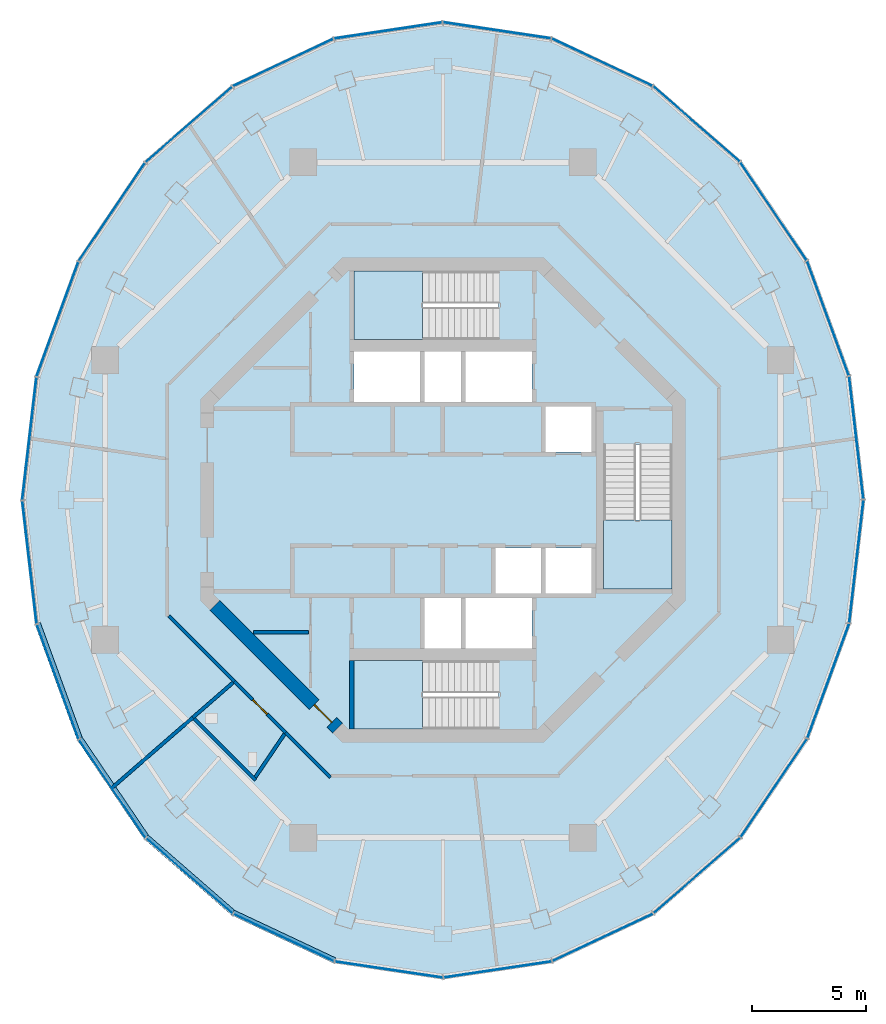
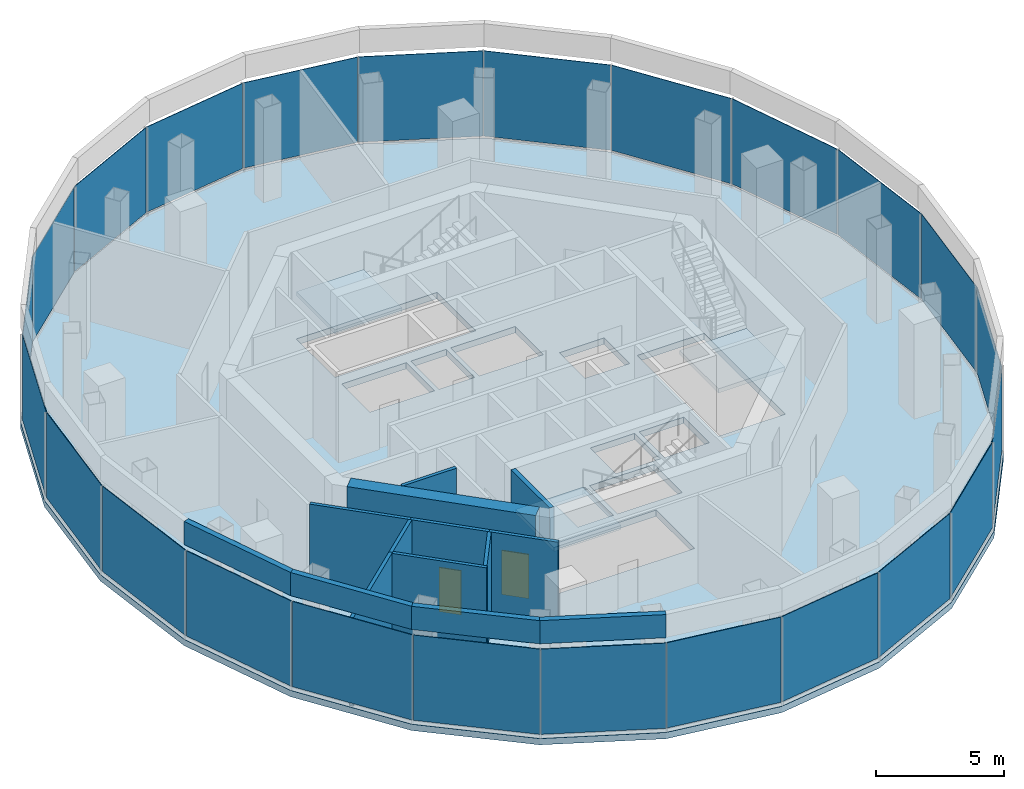
# One storey, part 6 of 11: 24 plates, 14 walls, 4 slabs, 2 doors, 2 openings, 27 elements without a shape of their own.
"""IFC4 building model written with IfcOpenShell, lengths in metres."""

from ifc_helpers import new_model, si_unit, direction, frame, frame_2d, origin, origin_2d, place, context, subcontext, project, spatial, polyline, rectangle, outline, extrude, material, layer, layer_set, type_object, element, fill, aggregate, save


model = new_model("IFC4")

# Units and contexts
model_context = context("Model", 3, precision=1e-05, world=origin(), true_north=direction((0.0, 1.0)))
body_context = subcontext(model_context, "Body", "Model", "MODEL_VIEW")
ifc_project = project(units=[si_unit("LENGTHUNIT", "METRE"), si_unit("AREAUNIT", "SQUARE_METRE"), si_unit("VOLUMEUNIT", "CUBIC_METRE"), si_unit("PLANEANGLEUNIT", "RADIAN"), si_unit("MASSUNIT", "GRAM", prefix="KILO")], contexts=[model_context])

# Site, building, storey
site_placement = place(None, origin())
site = spatial("IfcSite", under=ifc_project, at=site_placement, CompositionType="ELEMENT")
building_placement = place(site_placement, origin())
building = spatial("IfcBuilding", under=site, at=building_placement, Name="Nagisa Residences", CompositionType="ELEMENT")
storey_placement = place(building_placement, frame((0.0, 0.0, 320.39990234375)))
storey = spatial("IfcBuildingStorey", under=building, at=storey_placement, Name="L79", CompositionType="ELEMENT", Elevation=320.39990234375)

# Curtain wall, plate
ifc_material_1 = material(Name="Aluminium curtain wall system", Category="aluminium")
ifc_layer_1 = layer(ifc_material_1, 0.159912109375)
ifc_layer_set_1 = layer_set([ifc_layer_1], Name="CW4 CURTAIN WALL")
curtain_wall_type = type_object("IfcCurtainWallType", Name="CW4 CURTAIN WALL", PredefinedType="NOTDEFINED", material=ifc_layer_set_1)
curtain_wall_1_placement = place(storey_placement, origin())
curtain_wall_1 = element("IfcCurtainWall", 1, at=curtain_wall_1_placement, inside=storey, type_object=curtain_wall_type, Name="cw:CW4:L79:00", PredefinedType="NOTDEFINED")
ifc_material_2 = material(Name="Clear laminated glass", Category="glass")
ifc_layer_2 = layer(ifc_material_2, 0.028076171875)
ifc_layer_set_2 = layer_set([ifc_layer_2], Name="CW4 GLASS PANEL")
plate_type = type_object("IfcPlateType", Name="CW4 GLASS PANEL", PredefinedType="CURTAIN_PANEL", material=ifc_layer_set_2)
plate_1_placement = place(storey_placement, frame((18.101806640625, 2.73828125, 0.14990234375), z_axis=(0.0, 0.0, 1.0), x_axis=(-0.115207327437, 0.993341467827, 0.0)))
plate_1 = element("IfcPlate", 2, at=plate_1_placement, type_object=plate_type, Name="CW4 panel", PredefinedType="CURTAIN_PANEL", context=body_context, shape_type="SweptSolid", body=[
    extrude(rectangle(XDim=5.41162109375, YDim=0.028076171875, at=origin_2d()), origin(), (0.0, 0.0, 1.0), 4.050048828125),
])
aggregate(curtain_wall_1, [plate_1])

curtain_wall_2_placement = place(storey_placement, origin())
curtain_wall_2 = element("IfcCurtainWall", 3, at=curtain_wall_2_placement, inside=storey, type_object=curtain_wall_type, Name="cw:CW4:L79:01", PredefinedType="NOTDEFINED")
plate_2_placement = place(storey_placement, frame((16.860107421875, 7.96826171875, 0.14990234375), z_axis=(0.0, 0.0, 1.0), x_axis=(-0.342793298167, 0.939410855128, 0.0)))
plate_2 = element("IfcPlate", 4, at=plate_2_placement, type_object=plate_type, Name="CW4 panel", PredefinedType="CURTAIN_PANEL", context=body_context, shape_type="SweptSolid", body=[
    extrude(rectangle(XDim=5.33154296875, YDim=0.028076171875, at=origin_2d()), origin(), (0.0, 0.0, 1.0), 4.050048828125),
])
aggregate(curtain_wall_2, [plate_2])

curtain_wall_3_placement = place(storey_placement, origin())
curtain_wall_3 = element("IfcCurtainWall", 5, at=curtain_wall_3_placement, inside=storey, type_object=curtain_wall_type, Name="cw:CW4:L79:02", PredefinedType="NOTDEFINED")
plate_3_placement = place(storey_placement, frame((14.468505859375, 12.65478515625, 0.14990234375), z_axis=(0.0, 0.0, 1.0), x_axis=(-0.560029665453, 0.828472554652, 0.0)))
plate_3 = element("IfcPlate", 6, at=plate_3_placement, type_object=plate_type, Name="CW4 panel", PredefinedType="CURTAIN_PANEL", context=body_context, shape_type="SweptSolid", body=[
    extrude(rectangle(XDim=5.189697265625, YDim=0.028076171875, at=origin_2d()), origin(), (0.0, 0.0, 1.0), 4.050048828125),
])
aggregate(curtain_wall_3, [plate_3])

curtain_wall_4_placement = place(storey_placement, origin())
curtain_wall_4 = element("IfcCurtainWall", 7, at=curtain_wall_4_placement, inside=storey, type_object=curtain_wall_type, Name="cw:CW4:L79:03", PredefinedType="NOTDEFINED")
plate_4_placement = place(storey_placement, frame((11.090576171875, 16.477294921875, 0.14990234375), z_axis=(0.0, 0.0, 1.0), x_axis=(-0.754062144839, 0.656803076821, 0.0)))
plate_4 = element("IfcPlate", 8, at=plate_4_placement, type_object=plate_type, Name="CW4 panel", PredefinedType="CURTAIN_PANEL", context=body_context, shape_type="SweptSolid", body=[
    extrude(rectangle(XDim=5.02099609375, YDim=0.028076171875, at=origin_2d()), origin(), (0.0, 0.0, 1.0), 4.050048828125),
])
aggregate(curtain_wall_4, [plate_4])

curtain_wall_5_placement = place(storey_placement, origin())
curtain_wall_5 = element("IfcCurtainWall", 9, at=curtain_wall_5_placement, inside=storey, type_object=curtain_wall_type, Name="cw:CW4:L79:04", PredefinedType="NOTDEFINED")
plate_5_placement = place(storey_placement, frame((6.9580078125, 19.17578125, 0.14990234375), z_axis=(0.0, 0.0, 1.0), x_axis=(-0.90495806836, 0.425500757356, 0.0)))
plate_5 = element("IfcPlate", 10, at=plate_5_placement, type_object=plate_type, Name="CW4 panel", PredefinedType="CURTAIN_PANEL", context=body_context, shape_type="SweptSolid", body=[
    extrude(rectangle(XDim=4.870361328125, YDim=0.028076171875, at=origin_2d()), origin(), (0.0, 0.0, 1.0), 4.050048828125),
])
aggregate(curtain_wall_5, [plate_5])

curtain_wall_6_placement = place(storey_placement, origin())
curtain_wall_6 = element("IfcCurtainWall", 11, at=curtain_wall_6_placement, inside=storey, type_object=curtain_wall_type, Name="cw:CW4:L79:05", PredefinedType="NOTDEFINED")
plate_6_placement = place(storey_placement, frame((2.3525390625, 20.567626953125, 0.14990234375), z_axis=(0.0, 0.0, 1.0), x_axis=(-0.989016965862, 0.147802033939, 0.0)))
plate_6 = element("IfcPlate", 12, at=plate_6_placement, type_object=plate_type, Name="CW4 panel", PredefinedType="CURTAIN_PANEL", context=body_context, shape_type="SweptSolid", body=[
    extrude(rectangle(XDim=4.78125, YDim=0.028076171875, at=origin_2d()), origin(), (0.0, 0.0, 1.0), 4.050048828125),
])
aggregate(curtain_wall_6, [plate_6])

curtain_wall_7_placement = place(storey_placement, origin())
curtain_wall_7 = element("IfcCurtainWall", 13, at=curtain_wall_7_placement, inside=storey, type_object=curtain_wall_type, Name="cw:CW4:L79:06", PredefinedType="NOTDEFINED")
plate_7_placement = place(storey_placement, frame((-2.411865234375, 20.55859375, 0.14990234375), z_axis=(0.0, 0.0, 1.0), x_axis=(-0.989016965862, -0.147802033939, 0.0)))
plate_7 = element("IfcPlate", 14, at=plate_7_placement, type_object=plate_type, Name="CW4 panel", PredefinedType="CURTAIN_PANEL", context=body_context, shape_type="SweptSolid", body=[
    extrude(rectangle(XDim=4.78125, YDim=0.028076171875, at=origin_2d()), origin(), (0.0, 0.0, 1.0), 4.050048828125),
])
aggregate(curtain_wall_7, [plate_7])

curtain_wall_8_placement = place(storey_placement, origin())
curtain_wall_8 = element("IfcCurtainWall", 15, at=curtain_wall_8_placement, inside=storey, type_object=curtain_wall_type, Name="cw:CW4:L79:07", PredefinedType="NOTDEFINED")
plate_8_placement = place(storey_placement, frame((-7.01220703125, 19.150390625, 0.14990234375), z_axis=(0.0, 0.0, 1.0), x_axis=(-0.90495806836, -0.425500757356, 0.0)))
plate_8 = element("IfcPlate", 16, at=plate_8_placement, type_object=plate_type, Name="CW4 panel", PredefinedType="CURTAIN_PANEL", context=body_context, shape_type="SweptSolid", body=[
    extrude(rectangle(XDim=4.870361328125, YDim=0.028076171875, at=origin_2d()), origin(), (0.0, 0.0, 1.0), 4.050048828125),
])
aggregate(curtain_wall_8, [plate_8])

curtain_wall_9_placement = place(storey_placement, origin())
curtain_wall_9 = element("IfcCurtainWall", 17, at=curtain_wall_9_placement, inside=storey, type_object=curtain_wall_type, Name="cw:CW4:L79:08", PredefinedType="NOTDEFINED")
plate_9_placement = place(storey_placement, frame((-11.1357421875, 16.437744140625, 0.14990234375), z_axis=(0.0, 0.0, 1.0), x_axis=(-0.754062144839, -0.656803076821, 0.0)))
plate_9 = element("IfcPlate", 18, at=plate_9_placement, type_object=plate_type, Name="CW4 panel", PredefinedType="CURTAIN_PANEL", context=body_context, shape_type="SweptSolid", body=[
    extrude(rectangle(XDim=5.02099609375, YDim=0.028076171875, at=origin_2d()), origin(), (0.0, 0.0, 1.0), 4.050048828125),
])
aggregate(curtain_wall_9, [plate_9])

curtain_wall_10_placement = place(storey_placement, origin())
curtain_wall_10 = element("IfcCurtainWall", 19, at=curtain_wall_10_placement, inside=storey, type_object=curtain_wall_type, Name="cw:CW4:L79:09", PredefinedType="NOTDEFINED")
plate_10_placement = place(storey_placement, frame((-14.501953125, 12.60498046875, 0.14990234375), z_axis=(0.0, 0.0, 1.0), x_axis=(-0.560029665453, -0.828472554652, 0.0)))
plate_10 = element("IfcPlate", 20, at=plate_10_placement, type_object=plate_type, Name="CW4 panel", PredefinedType="CURTAIN_PANEL", context=body_context, shape_type="SweptSolid", body=[
    extrude(rectangle(XDim=5.189697265625, YDim=0.028076171875, at=origin_2d()), origin(), (0.0, 0.0, 1.0), 4.050048828125),
])
aggregate(curtain_wall_10, [plate_10])

curtain_wall_11_placement = place(storey_placement, origin())
curtain_wall_11 = element("IfcCurtainWall", 21, at=curtain_wall_11_placement, inside=storey, type_object=curtain_wall_type, Name="cw:CW4:L79:10", PredefinedType="NOTDEFINED")
plate_11_placement = place(storey_placement, frame((-16.880615234375, 7.912109375, 0.14990234375), z_axis=(0.0, 0.0, 1.0), x_axis=(-0.342793298167, -0.939410855128, 0.0)))
plate_11 = element("IfcPlate", 22, at=plate_11_placement, type_object=plate_type, Name="CW4 panel", PredefinedType="CURTAIN_PANEL", context=body_context, shape_type="SweptSolid", body=[
    extrude(rectangle(XDim=5.33154296875, YDim=0.028076171875, at=origin_2d()), origin(), (0.0, 0.0, 1.0), 4.050048828125),
])
aggregate(curtain_wall_11, [plate_11])

curtain_wall_12_placement = place(storey_placement, origin())
curtain_wall_12 = element("IfcCurtainWall", 23, at=curtain_wall_12_placement, inside=storey, type_object=curtain_wall_type, Name="cw:CW4:L79:11", PredefinedType="NOTDEFINED")
plate_12_placement = place(storey_placement, frame((-18.10888671875, 2.678466796875, 0.14990234375), z_axis=(0.0, 0.0, 1.0), x_axis=(-0.115207327437, -0.993341467827, 0.0)))
plate_12 = element("IfcPlate", 24, at=plate_12_placement, type_object=plate_type, Name="CW4 panel", PredefinedType="CURTAIN_PANEL", context=body_context, shape_type="SweptSolid", body=[
    extrude(rectangle(XDim=5.41162109375, YDim=0.028076171875, at=origin_2d()), origin(), (0.0, 0.0, 1.0), 4.050048828125),
])
aggregate(curtain_wall_12, [plate_12])

curtain_wall_13_placement = place(storey_placement, origin())
curtain_wall_13 = element("IfcCurtainWall", 25, at=curtain_wall_13_placement, inside=storey, type_object=curtain_wall_type, Name="cw:CW4:L79:12", PredefinedType="NOTDEFINED")
plate_13_placement = place(storey_placement, frame((-18.101806640625, -2.73828125, 0.14990234375), z_axis=(0.0, 0.0, 1.0), x_axis=(0.115207327437, -0.993341467827, 0.0)))
plate_13 = element("IfcPlate", 26, at=plate_13_placement, type_object=plate_type, Name="CW4 panel", PredefinedType="CURTAIN_PANEL", context=body_context, shape_type="SweptSolid", body=[
    extrude(rectangle(XDim=5.41162109375, YDim=0.028076171875, at=origin_2d()), origin(), (0.0, 0.0, 1.0), 4.050048828125),
])
aggregate(curtain_wall_13, [plate_13])

curtain_wall_14_placement = place(storey_placement, origin())
curtain_wall_14 = element("IfcCurtainWall", 27, at=curtain_wall_14_placement, inside=storey, type_object=curtain_wall_type, Name="cw:CW4:L79:13", PredefinedType="NOTDEFINED")
plate_14_placement = place(storey_placement, frame((-16.860107421875, -7.96826171875, 0.14990234375), z_axis=(0.0, 0.0, 1.0), x_axis=(0.342793298167, -0.939410855128, 0.0)))
plate_14 = element("IfcPlate", 28, at=plate_14_placement, type_object=plate_type, Name="CW4 panel", PredefinedType="CURTAIN_PANEL", context=body_context, shape_type="SweptSolid", body=[
    extrude(rectangle(XDim=5.33154296875, YDim=0.028076171875, at=origin_2d()), origin(), (0.0, 0.0, 1.0), 4.050048828125),
])
aggregate(curtain_wall_14, [plate_14])

curtain_wall_15_placement = place(storey_placement, origin())
curtain_wall_15 = element("IfcCurtainWall", 29, at=curtain_wall_15_placement, inside=storey, type_object=curtain_wall_type, Name="cw:CW4:L79:14", PredefinedType="NOTDEFINED")
plate_15_placement = place(storey_placement, frame((-14.468505859375, -12.65478515625, 0.14990234375), z_axis=(0.0, 0.0, 1.0), x_axis=(0.560029665453, -0.828472554652, 0.0)))
plate_15 = element("IfcPlate", 30, at=plate_15_placement, type_object=plate_type, Name="CW4 panel", PredefinedType="CURTAIN_PANEL", context=body_context, shape_type="SweptSolid", body=[
    extrude(rectangle(XDim=5.189697265625, YDim=0.028076171875, at=origin_2d()), origin(), (0.0, 0.0, 1.0), 4.050048828125),
])
aggregate(curtain_wall_15, [plate_15])

curtain_wall_16_placement = place(storey_placement, origin())
curtain_wall_16 = element("IfcCurtainWall", 31, at=curtain_wall_16_placement, inside=storey, type_object=curtain_wall_type, Name="cw:CW4:L79:15", PredefinedType="NOTDEFINED")
plate_16_placement = place(storey_placement, frame((-11.090576171875, -16.477294921875, 0.14990234375), z_axis=(0.0, 0.0, 1.0), x_axis=(0.754062144839, -0.656803076821, 0.0)))
plate_16 = element("IfcPlate", 32, at=plate_16_placement, type_object=plate_type, Name="CW4 panel", PredefinedType="CURTAIN_PANEL", context=body_context, shape_type="SweptSolid", body=[
    extrude(rectangle(XDim=5.02099609375, YDim=0.028076171875, at=origin_2d()), origin(), (0.0, 0.0, 1.0), 4.050048828125),
])
aggregate(curtain_wall_16, [plate_16])

curtain_wall_17_placement = place(storey_placement, origin())
curtain_wall_17 = element("IfcCurtainWall", 33, at=curtain_wall_17_placement, inside=storey, type_object=curtain_wall_type, Name="cw:CW4:L79:16", PredefinedType="NOTDEFINED")
plate_17_placement = place(storey_placement, frame((-6.9580078125, -19.17578125, 0.14990234375), z_axis=(0.0, 0.0, 1.0), x_axis=(0.90495806836, -0.425500757356, 0.0)))
plate_17 = element("IfcPlate", 34, at=plate_17_placement, type_object=plate_type, Name="CW4 panel", PredefinedType="CURTAIN_PANEL", context=body_context, shape_type="SweptSolid", body=[
    extrude(rectangle(XDim=4.870361328125, YDim=0.028076171875, at=origin_2d()), origin(), (0.0, 0.0, 1.0), 4.050048828125),
])
aggregate(curtain_wall_17, [plate_17])

curtain_wall_18_placement = place(storey_placement, origin())
curtain_wall_18 = element("IfcCurtainWall", 35, at=curtain_wall_18_placement, inside=storey, type_object=curtain_wall_type, Name="cw:CW4:L79:17", PredefinedType="NOTDEFINED")
plate_18_placement = place(storey_placement, frame((-2.3525390625, -20.567626953125, 0.14990234375), z_axis=(0.0, 0.0, 1.0), x_axis=(0.989016965862, -0.147802033939, 0.0)))
plate_18 = element("IfcPlate", 36, at=plate_18_placement, type_object=plate_type, Name="CW4 panel", PredefinedType="CURTAIN_PANEL", context=body_context, shape_type="SweptSolid", body=[
    extrude(rectangle(XDim=4.78125, YDim=0.028076171875, at=origin_2d()), origin(), (0.0, 0.0, 1.0), 4.050048828125),
])
aggregate(curtain_wall_18, [plate_18])

curtain_wall_19_placement = place(storey_placement, origin())
curtain_wall_19 = element("IfcCurtainWall", 37, at=curtain_wall_19_placement, inside=storey, type_object=curtain_wall_type, Name="cw:CW4:L79:18", PredefinedType="NOTDEFINED")
plate_19_placement = place(storey_placement, frame((2.411865234375, -20.55859375, 0.14990234375), z_axis=(0.0, 0.0, 1.0), x_axis=(0.989016965862, 0.147802033939, 0.0)))
plate_19 = element("IfcPlate", 38, at=plate_19_placement, type_object=plate_type, Name="CW4 panel", PredefinedType="CURTAIN_PANEL", context=body_context, shape_type="SweptSolid", body=[
    extrude(rectangle(XDim=4.78125, YDim=0.028076171875, at=origin_2d()), origin(), (0.0, 0.0, 1.0), 4.050048828125),
])
aggregate(curtain_wall_19, [plate_19])

curtain_wall_20_placement = place(storey_placement, origin())
curtain_wall_20 = element("IfcCurtainWall", 39, at=curtain_wall_20_placement, inside=storey, type_object=curtain_wall_type, Name="cw:CW4:L79:19", PredefinedType="NOTDEFINED")
plate_20_placement = place(storey_placement, frame((7.01220703125, -19.150390625, 0.14990234375), z_axis=(0.0, 0.0, 1.0), x_axis=(0.90495806836, 0.425500757356, 0.0)))
plate_20 = element("IfcPlate", 40, at=plate_20_placement, type_object=plate_type, Name="CW4 panel", PredefinedType="CURTAIN_PANEL", context=body_context, shape_type="SweptSolid", body=[
    extrude(rectangle(XDim=4.870361328125, YDim=0.028076171875, at=origin_2d()), origin(), (0.0, 0.0, 1.0), 4.050048828125),
])
aggregate(curtain_wall_20, [plate_20])

curtain_wall_21_placement = place(storey_placement, origin())
curtain_wall_21 = element("IfcCurtainWall", 41, at=curtain_wall_21_placement, inside=storey, type_object=curtain_wall_type, Name="cw:CW4:L79:20", PredefinedType="NOTDEFINED")
plate_21_placement = place(storey_placement, frame((11.1357421875, -16.437744140625, 0.14990234375), z_axis=(0.0, 0.0, 1.0), x_axis=(0.754062144839, 0.656803076821, 0.0)))
plate_21 = element("IfcPlate", 42, at=plate_21_placement, type_object=plate_type, Name="CW4 panel", PredefinedType="CURTAIN_PANEL", context=body_context, shape_type="SweptSolid", body=[
    extrude(rectangle(XDim=5.02099609375, YDim=0.028076171875, at=origin_2d()), origin(), (0.0, 0.0, 1.0), 4.050048828125),
])
aggregate(curtain_wall_21, [plate_21])

curtain_wall_22_placement = place(storey_placement, origin())
curtain_wall_22 = element("IfcCurtainWall", 43, at=curtain_wall_22_placement, inside=storey, type_object=curtain_wall_type, Name="cw:CW4:L79:21", PredefinedType="NOTDEFINED")
plate_22_placement = place(storey_placement, frame((14.501953125, -12.60498046875, 0.14990234375), z_axis=(0.0, 0.0, 1.0), x_axis=(0.560029665453, 0.828472554652, 0.0)))
plate_22 = element("IfcPlate", 44, at=plate_22_placement, type_object=plate_type, Name="CW4 panel", PredefinedType="CURTAIN_PANEL", context=body_context, shape_type="SweptSolid", body=[
    extrude(rectangle(XDim=5.189697265625, YDim=0.028076171875, at=origin_2d()), origin(), (0.0, 0.0, 1.0), 4.050048828125),
])
aggregate(curtain_wall_22, [plate_22])

curtain_wall_23_placement = place(storey_placement, origin())
curtain_wall_23 = element("IfcCurtainWall", 45, at=curtain_wall_23_placement, inside=storey, type_object=curtain_wall_type, Name="cw:CW4:L79:22", PredefinedType="NOTDEFINED")
plate_23_placement = place(storey_placement, frame((16.880615234375, -7.912109375, 0.14990234375), z_axis=(0.0, 0.0, 1.0), x_axis=(0.342793298167, 0.939410855128, 0.0)))
plate_23 = element("IfcPlate", 46, at=plate_23_placement, type_object=plate_type, Name="CW4 panel", PredefinedType="CURTAIN_PANEL", context=body_context, shape_type="SweptSolid", body=[
    extrude(rectangle(XDim=5.33154296875, YDim=0.028076171875, at=origin_2d()), origin(), (0.0, 0.0, 1.0), 4.050048828125),
])
aggregate(curtain_wall_23, [plate_23])

curtain_wall_24_placement = place(storey_placement, origin())
curtain_wall_24 = element("IfcCurtainWall", 47, at=curtain_wall_24_placement, inside=storey, type_object=curtain_wall_type, Name="cw:CW4:L79:23", PredefinedType="NOTDEFINED")
plate_24_placement = place(storey_placement, frame((18.10888671875, -2.678466796875, 0.14990234375), z_axis=(0.0, 0.0, 1.0), x_axis=(0.115207327437, 0.993341467827, 0.0)))
plate_24 = element("IfcPlate", 48, at=plate_24_placement, type_object=plate_type, Name="CW4 panel", PredefinedType="CURTAIN_PANEL", context=body_context, shape_type="SweptSolid", body=[
    extrude(rectangle(XDim=5.41162109375, YDim=0.028076171875, at=origin_2d()), origin(), (0.0, 0.0, 1.0), 4.050048828125),
])
aggregate(curtain_wall_24, [plate_24])

# Slab
ifc_material_3 = material(Name="Concrete C40", Category="concrete")
ifc_layer_3 = layer(ifc_material_3, 0.300048828125)
ifc_layer_set_3 = layer_set([ifc_layer_3], Name="Floor slab 300")
slab_type_1 = type_object("IfcSlabType", Name="Floor slab 300", PredefinedType="FLOOR", material=ifc_layer_set_3)
slab_1_placement = place(storey_placement, frame((0.0, 0.0, -0.2998046875)))
element("IfcSlab", 49, at=slab_1_placement, inside=storey, type_object=slab_type_1, Name="slab:L79:floor", PredefinedType="FLOOR", context=body_context, shape_type="SweptSolid", body=[
    extrude(outline(polyline([(18.5, 0.0), (17.86962890625, 5.435302734375), (16.021484375, 10.5), (13.08154296875, 14.84912109375), (9.25, 18.1865234375), (4.7880859375, 20.284423828125), (0.0, 21.0), (-4.7880859375, 20.284423828125), (-9.25, 18.1865234375), (-13.08154296875, 14.84912109375), (-16.021484375, 10.5), (-17.86962890625, 5.435302734375), (-18.5, 0.0), (-17.86962890625, -5.435302734375), (-16.021484375, -10.5), (-13.08154296875, -14.84912109375), (-9.25, -18.1865234375), (-4.7880859375, -20.284423828125), (0.0, -21.0), (4.7880859375, -20.284423828125), (9.25, -18.1865234375), (13.08154296875, -14.84912109375), (16.021484375, -10.5), (17.86962890625, -5.435302734375), (18.5, 0.0)]), holes=[polyline([(6.5, 2.10009765625), (6.5, 4.10009765625), (4.5, 4.10009765625), (4.5, 2.10009765625), (6.5, 2.10009765625)]), polyline([(4.300048828125, -4.10009765625), (4.300048828125, -2.10009765625), (2.300048828125, -2.10009765625), (2.300048828125, -4.10009765625), (4.300048828125, -4.10009765625)]), polyline([(6.5, -4.10009765625), (6.5, -2.10009765625), (4.5, -2.10009765625), (4.5, -4.10009765625), (6.5, -4.10009765625)]), polyline([(3.89990234375, 4.300048828125), (3.89990234375, 6.5), (1.0, 6.5), (1.0, 4.300048828125), (3.89990234375, 4.300048828125)]), polyline([(3.89990234375, -6.5), (3.89990234375, -4.300048828125), (1.0, -4.300048828125), (1.0, -6.5), (3.89990234375, -6.5)]), polyline([(-1.0, 4.300048828125), (-1.0, 6.5), (-3.89990234375, 6.5), (-3.89990234375, 4.300048828125), (-1.0, 4.300048828125)]), polyline([(0.800048828125, 4.300048828125), (0.800048828125, 6.5), (-0.800048828125, 6.5), (-0.800048828125, 4.300048828125), (0.800048828125, 4.300048828125)]), polyline([(0.800048828125, -6.5), (0.800048828125, -4.300048828125), (-0.800048828125, -4.300048828125), (-0.800048828125, -6.5), (0.800048828125, -6.5)]), polyline([(10.024658203125, -3.89990234375), (7.024658203125, -3.89990234375), (7.024658203125, 2.425048828125), (10.024658203125, 2.425048828125), (10.024658203125, -3.89990234375)]), polyline([(-3.89990234375, 7.024658203125), (-3.89990234375, 10.024658203125), (2.425048828125, 10.024658203125), (2.425048828125, 7.024658203125), (-3.89990234375, 7.024658203125)]), polyline([(-3.89990234375, -10.024658203125), (-3.89990234375, -7.024658203125), (2.425048828125, -7.024658203125), (2.425048828125, -10.024658203125), (-3.89990234375, -10.024658203125)])]), origin(), (0.0, 0.0, 1.0), 0.2998046875),
])

# Stair, slab
ifc_material_4 = material(Name="Concrete C60", Category="concrete")
stair_type = type_object("IfcStairType", Name="Exit stair", PredefinedType="HALF_TURN_STAIR", material=ifc_material_4)
stair_1_placement = place(storey_placement, origin())
stair_1 = element("IfcStair", 50, at=stair_1_placement, inside=storey, type_object=stair_type, Name="L79 Exit stair E", PredefinedType="HALF_TURN_STAIR")
ifc_material_5 = material(Name="Concrete C60", Category="concrete")
ifc_layer_4 = layer(ifc_material_5, 0.199951171875)
ifc_layer_set_4 = layer_set([ifc_layer_4], Name="Stair landing")
slab_type_2 = type_object("IfcSlabType", Name="Stair landing", PredefinedType="LANDING", material=ifc_layer_set_4)
slab_2_placement = place(storey_placement, frame((0.0, 0.0, 2.050048828125)))
slab_2 = element("IfcSlab", 51, at=slab_2_placement, type_object=slab_type_2, Name="ST-E landing 1", PredefinedType="LANDING", context=body_context, shape_type="SweptSolid", body=[
    extrude(outline(polyline([(7.024658203125, -0.885009765625), (7.024658203125, -3.89990234375), (10.024658203125, -3.89990234375), (10.024658203125, -0.885009765625), (7.024658203125, -0.885009765625)])), origin(), (0.0, 0.0, 1.0), 0.199951171875),
])
aggregate(stair_1, [slab_2])

stair_2_placement = place(storey_placement, origin())
stair_2 = element("IfcStair", 52, at=stair_2_placement, inside=storey, type_object=stair_type, Name="L79 Exit stair N", PredefinedType="HALF_TURN_STAIR")
slab_3_placement = place(storey_placement, frame((0.0, 0.0, 2.050048828125)))
slab_3 = element("IfcSlab", 53, at=slab_3_placement, type_object=slab_type_2, Name="ST-N landing 1", PredefinedType="LANDING", context=body_context, shape_type="SweptSolid", body=[
    extrude(outline(polyline([(-0.885009765625, 10.024658203125), (-3.89990234375, 10.024658203125), (-3.89990234375, 7.024658203125), (-0.885009765625, 7.024658203125), (-0.885009765625, 10.024658203125)])), origin(), (0.0, 0.0, 1.0), 0.199951171875),
])
aggregate(stair_2, [slab_3])

stair_3_placement = place(storey_placement, origin())
stair_3 = element("IfcStair", 54, at=stair_3_placement, inside=storey, type_object=stair_type, Name="L79 Exit stair S", PredefinedType="HALF_TURN_STAIR")
slab_4_placement = place(storey_placement, frame((0.0, 0.0, 2.050048828125)))
slab_4 = element("IfcSlab", 55, at=slab_4_placement, type_object=slab_type_2, Name="ST-S landing 1", PredefinedType="LANDING", context=body_context, shape_type="SweptSolid", body=[
    extrude(outline(polyline([(-0.885009765625, -7.024658203125), (-3.89990234375, -7.024658203125), (-3.89990234375, -10.024658203125), (-0.885009765625, -10.024658203125), (-0.885009765625, -7.024658203125)])), origin(), (0.0, 0.0, 1.0), 0.199951171875),
])
aggregate(stair_3, [slab_4])

# Wall
ifc_material_6 = material(Name="Gypsum board on steel studs", Category="steel")
ifc_layer_5 = layer(ifc_material_6, 0.14990234375)
ifc_layer_set_5 = layer_set([ifc_layer_5], Name="Core partition 150")
wall_type_1 = type_object("IfcWallType", Name="Core partition 150", PredefinedType="PARTITIONING", material=ifc_layer_set_5)
wall_1_placement = place(storey_placement, frame((-8.301025390625, -5.800048828125, 0.0), z_axis=(0.0, 0.0, 1.0), x_axis=(1.0, 0.0, 0.0)))
element("IfcWall", 56, at=wall_1_placement, inside=storey, type_object=wall_type_1, Name="wall:L79:SWq", PredefinedType="PARTITIONING", context=body_context, shape_type="SweptSolid", body=[
    extrude(rectangle(XDim=2.426025390625, YDim=0.14990234375, at=frame_2d((1.212890625, 0.0))), origin(), (0.0, 0.0, 1.0), 4.2001953125),
])

# Wall, opening, door
ifc_material_7 = material(Name="Concrete C60", Category="concrete")
ifc_layer_6 = layer(ifc_material_7, 0.60009765625)
ifc_layer_set_6 = layer_set([ifc_layer_6], Name="Core shear wall 600")
wall_type_2 = type_object("IfcWallType", Name="Core shear wall 600", PredefinedType="SHEAR", material=ifc_layer_set_6)
wall_2_placement = place(storey_placement, frame((-9.98828125, -4.613037109375, 0.0), z_axis=(0.0, 0.0, 1.0), x_axis=(0.707106781187, -0.707106781187, 0.0)))
wall_2 = element("IfcWall", 57, at=wall_2_placement, inside=storey, type_object=wall_type_2, Name="wall:L79:core:flat5", PredefinedType="SHEAR", context=body_context, shape_type="SweptSolid", body=[
    extrude(rectangle(XDim=7.601806640625, YDim=0.60009765625, at=frame_2d((3.80078125, 0.0))), origin(), (0.0, 0.0, 1.0), 4.2001953125),
])
opening_1_placement = place(wall_2_placement, frame((6.15087890625, 0.0, 0.0)))
opening_1 = element("IfcOpeningElement", 58, at=opening_1_placement, cuts=wall_2, Name="Opening L79-C26", PredefinedType="OPENING", context=body_context, shape_type="SweptSolid", body=[
    extrude(rectangle(XDim=1.10009765625, YDim=2.10009765625, at=frame_2d((0.550048828125, 1.050048828125))), frame((0.0, 0.31005859375, 0.0), z_axis=(0.0, -1.0, 0.0), x_axis=(1.0, 0.0, 0.0)), (0.0, 0.0, 1.0), 0.6201171875),
])
ifc_material_8 = material(Name="Steel fire door", Category="steel")
door_type_1 = type_object("IfcDoorType", Name="Fire door EI60 1100x2100 single swing", OperationType="NOTDEFINED", PredefinedType="DOOR", material=ifc_material_8)
door_1_placement = place(opening_1_placement, origin())
door_1 = element("IfcDoor", 59, at=door_1_placement, inside=storey, type_object=door_type_1, Name="Housekeeping lobby door L79", OperationType="SINGLE_SWING_LEFT", OverallHeight=2.10009765625, OverallWidth=1.10009765625, PredefinedType="DOOR", context=body_context, shape_type="SweptSolid", body=[
    extrude(rectangle(XDim=1.10009765625, YDim=2.10009765625, at=frame_2d((0.550048828125, 1.050048828125))), frame((0.0, 0.02490234375, 0.0), z_axis=(0.0, -1.0, 0.0), x_axis=(1.0, 0.0, 0.0)), (0.0, 0.0, 1.0), 0.050048828125),
])
fill(opening_1, door_1)

# Walls
ifc_material_9 = material(Name="Precast concrete C40/50", Category="concrete")
ifc_layer_7 = layer(ifc_material_9, 0.25)
ifc_layer_set_7 = layer_set([ifc_layer_7], Name="PARAPET 250")
wall_type_3 = type_object("IfcWallType", Name="PARAPET 250", PredefinedType="PARAPET", material=ifc_layer_set_7)
wall_3_placement = place(storey_placement, frame((-17.752197265625, -5.392333984375, 4.5), z_axis=(0.0, 0.0, 1.0), x_axis=(0.342797263009, -0.939409408338, 0.0)))
element("IfcWall", 60, at=wall_3_placement, inside=storey, type_object=wall_type_3, Name="parapet:L79:13", PredefinedType="PARAPET", context=body_context, shape_type="SweptSolid", body=[
    extrude(rectangle(XDim=5.391357421875, YDim=0.25, at=frame_2d((2.69580078125, 0.0))), origin(), (0.0, 0.0, 1.0), 1.10009765625),
])
wall_4_placement = place(storey_placement, frame((-15.91796875, -10.429931640625, 4.5), z_axis=(0.0, 0.0, 1.0), x_axis=(0.560011865881, -0.828484586503, 0.0)))
element("IfcWall", 61, at=wall_4_placement, inside=storey, type_object=wall_type_3, Name="parapet:L79:14", PredefinedType="PARAPET", context=body_context, shape_type="SweptSolid", body=[
    extrude(rectangle(XDim=5.249755859375, YDim=0.25, at=frame_2d((2.625, 0.0))), origin(), (0.0, 0.0, 1.0), 1.10009765625),
])
wall_5_placement = place(storey_placement, frame((-12.999267578125, -14.7548828125, 4.5), z_axis=(0.0, 0.0, 1.0), x_axis=(0.754036302734, -0.656832744432, 0.0)))
element("IfcWall", 62, at=wall_5_placement, inside=storey, type_object=wall_type_3, Name="parapet:L79:15", PredefinedType="PARAPET", context=body_context, shape_type="SweptSolid", body=[
    extrude(rectangle(XDim=5.0810546875, YDim=0.25, at=frame_2d((2.54052734375, 0.0))), origin(), (0.0, 0.0, 1.0), 1.10009765625),
])
wall_6_placement = place(storey_placement, frame((-9.19677734375, -18.073486328125, 4.5), z_axis=(0.0, 0.0, 1.0), x_axis=(0.904961168887, -0.425494163069, 0.0)))
element("IfcWall", 63, at=wall_6_placement, inside=storey, type_object=wall_type_3, Name="parapet:L79:16", PredefinedType="PARAPET", context=body_context, shape_type="SweptSolid", body=[
    extrude(rectangle(XDim=4.930419921875, YDim=0.25, at=frame_2d((2.46533203125, 0.0))), origin(), (0.0, 0.0, 1.0), 1.10009765625),
])
ifc_material_10 = material(Name="Gypsum board on steel studs", Category="steel")
ifc_layer_8 = layer(ifc_material_10, 0.14990234375)
ifc_layer_set_8 = layer_set([ifc_layer_8], Name="Room partition EI60 150")
wall_type_4 = type_object("IfcWallType", Name="Room partition EI60 150", PredefinedType="PARTITIONING", material=ifc_layer_set_8)
wall_7_placement = place(storey_placement, frame((-10.947021484375, -9.52294921875, 0.0), z_axis=(0.0, 0.0, 1.0), x_axis=(-0.754481003516, -0.656321883937, 0.0)))
element("IfcWall", 64, at=wall_7_placement, inside=storey, type_object=wall_type_4, Name="wall:L79:am004", PredefinedType="PARTITIONING", context=body_context, shape_type="SweptSolid", body=[
    extrude(rectangle(XDim=4.685791015625, YDim=0.14990234375, at=frame_2d((2.3427734375, 0.0))), origin(), (0.0, 0.0, 1.0), 4.2001953125),
])
wall_8_placement = place(storey_placement, frame((-9.132080078125, -7.944091796875, 0.0), z_axis=(0.0, 0.0, 1.0), x_axis=(-0.707076684492, 0.7071368766, 0.0)))
element("IfcWall", 65, at=wall_8_placement, inside=storey, type_object=wall_type_4, Name="wall:L79:am005", PredefinedType="PARTITIONING", context=body_context, shape_type="SweptSolid", body=[
    extrude(rectangle(XDim=4.055908203125, YDim=0.14990234375, at=frame_2d((2.02783203125, 0.0))), origin(), (0.0, 0.0, 1.0), 4.2001953125),
])
wall_9_placement = place(storey_placement, frame((-9.188720703125, -7.993408203125, 0.0), z_axis=(0.0, 0.0, 1.0), x_axis=(-0.754481465632, -0.656321352706, 0.0)))
element("IfcWall", 66, at=wall_9_placement, inside=storey, type_object=wall_type_4, Name="wall:L79:am006", PredefinedType="PARTITIONING", context=body_context, shape_type="SweptSolid", body=[
    extrude(rectangle(XDim=2.33056640625, YDim=0.14990234375, at=frame_2d((1.165283203125, 0.0))), origin(), (0.0, 0.0, 1.0), 4.2001953125),
])
wall_10_placement = place(storey_placement, frame((-8.20703125, -12.262939453125, 0.0), z_axis=(0.0, 0.0, 1.0), x_axis=(-0.707106781187, 0.707106781187, 0.0)))
element("IfcWall", 67, at=wall_10_placement, inside=storey, type_object=wall_type_4, Name="wall:L79:am007", PredefinedType="PARTITIONING", context=body_context, shape_type="SweptSolid", body=[
    extrude(rectangle(XDim=3.799560546875, YDim=0.14990234375, at=frame_2d((1.89990234375, 0.0))), origin(), (0.0, 0.0, 1.0), 4.2001953125),
])

# Wall, opening, door
wall_11_placement = place(storey_placement, frame((-6.89111328125, -10.18505859375, 0.0), z_axis=(0.0, 0.0, 1.0), x_axis=(-0.707106781187, 0.707106781187, 0.0)))
wall_11 = element("IfcWall", 68, at=wall_11_placement, inside=storey, type_object=wall_type_4, Name="wall:L79:am008", PredefinedType="PARTITIONING", context=body_context, shape_type="SweptSolid", body=[
    extrude(rectangle(XDim=3.169189453125, YDim=0.14990234375, at=frame_2d((1.58447265625, 0.0))), origin(), (0.0, 0.0, 1.0), 4.2001953125),
])
opening_2_placement = place(wall_11_placement, frame((1.134521484375, 0.0, 0.0)))
opening_2 = element("IfcOpeningElement", 69, at=opening_2_placement, cuts=wall_11, Name="Opening L79-A05", PredefinedType="OPENING", context=body_context, shape_type="SweptSolid", body=[
    extrude(rectangle(XDim=0.89990234375, YDim=2.10009765625, at=frame_2d((0.449951171875, 1.050048828125))), frame((0.0, 0.0849609375, 0.0), z_axis=(0.0, -1.0, 0.0), x_axis=(1.0, 0.0, 0.0)), (0.0, 0.0, 1.0), 0.169921875),
])
ifc_material_11 = material(Name="Steel fire door", Category="steel")
door_type_2 = type_object("IfcDoorType", Name="Fire door EI30 900x2100 single swing", OperationType="NOTDEFINED", PredefinedType="DOOR", material=ifc_material_11)
door_2_placement = place(opening_2_placement, origin())
door_2 = element("IfcDoor", 70, at=door_2_placement, inside=storey, type_object=door_type_2, Name="WC door", OperationType="SINGLE_SWING_LEFT", OverallHeight=2.10009765625, OverallWidth=0.89990234375, PredefinedType="DOOR", context=body_context, shape_type="SweptSolid", body=[
    extrude(rectangle(XDim=0.89990234375, YDim=2.10009765625, at=frame_2d((0.449951171875, 1.050048828125))), frame((0.0, 0.02490234375, 0.0), z_axis=(0.0, -1.0, 0.0), x_axis=(1.0, 0.0, 0.0)), (0.0, 0.0, 1.0), 0.050048828125),
])
fill(opening_2, door_2)

# Walls
wall_12_placement = place(storey_placement, frame((-6.933837890625, -10.248291015625, 0.0), z_axis=(0.0, 0.0, 1.0), x_axis=(-0.560563039499, -0.828111754987, 0.0)))
element("IfcWall", 71, at=wall_12_placement, inside=storey, type_object=wall_type_4, Name="wall:L79:am009", PredefinedType="PARTITIONING", context=body_context, shape_type="SweptSolid", body=[
    extrude(rectangle(XDim=2.291259765625, YDim=0.14990234375, at=frame_2d((1.1455078125, 0.0))), origin(), (0.0, 0.0, 1.0), 4.2001953125),
])
wall_13_placement = place(storey_placement, frame((-4.926025390625, -12.14990234375, 0.0), z_axis=(0.0, 0.0, 1.0), x_axis=(-0.707150707683, 0.707062851961, 0.0)))
element("IfcWall", 72, at=wall_13_placement, inside=storey, type_object=wall_type_4, Name="wall:L79:am012", PredefinedType="PARTITIONING", context=body_context, shape_type="SweptSolid", body=[
    extrude(rectangle(XDim=2.77880859375, YDim=0.14990234375, at=frame_2d((1.389404296875, 0.0))), origin(), (0.0, 0.0, 1.0), 4.2001953125),
])
ifc_material_12 = material(Name="Concrete C60", Category="concrete")
ifc_layer_9 = layer(ifc_material_12, 0.199951171875)
ifc_layer_set_9 = layer_set([ifc_layer_9], Name="Stair enclosure wall 200")
wall_type_5 = type_object("IfcWallType", Name="Stair enclosure wall 200", PredefinedType="SOLIDWALL", material=ifc_layer_set_9)
wall_14_placement = place(storey_placement, origin())
element("IfcWall", 73, at=wall_14_placement, inside=storey, type_object=wall_type_5, Name="wall:L79:SS_w", PredefinedType="SOLIDWALL", context=body_context, shape_type="SweptSolid", body=[
    extrude(outline(polyline([(-3.89990234375, -10.024658203125), (-4.10009765625, -10.024658203125), (-4.10009765625, -7.024658203125), (-3.89990234375, -7.024658203125), (-3.89990234375, -10.024658203125)])), origin(), (0.0, 0.0, 1.0), 4.2001953125),
])

save(model, "model.ifc")
